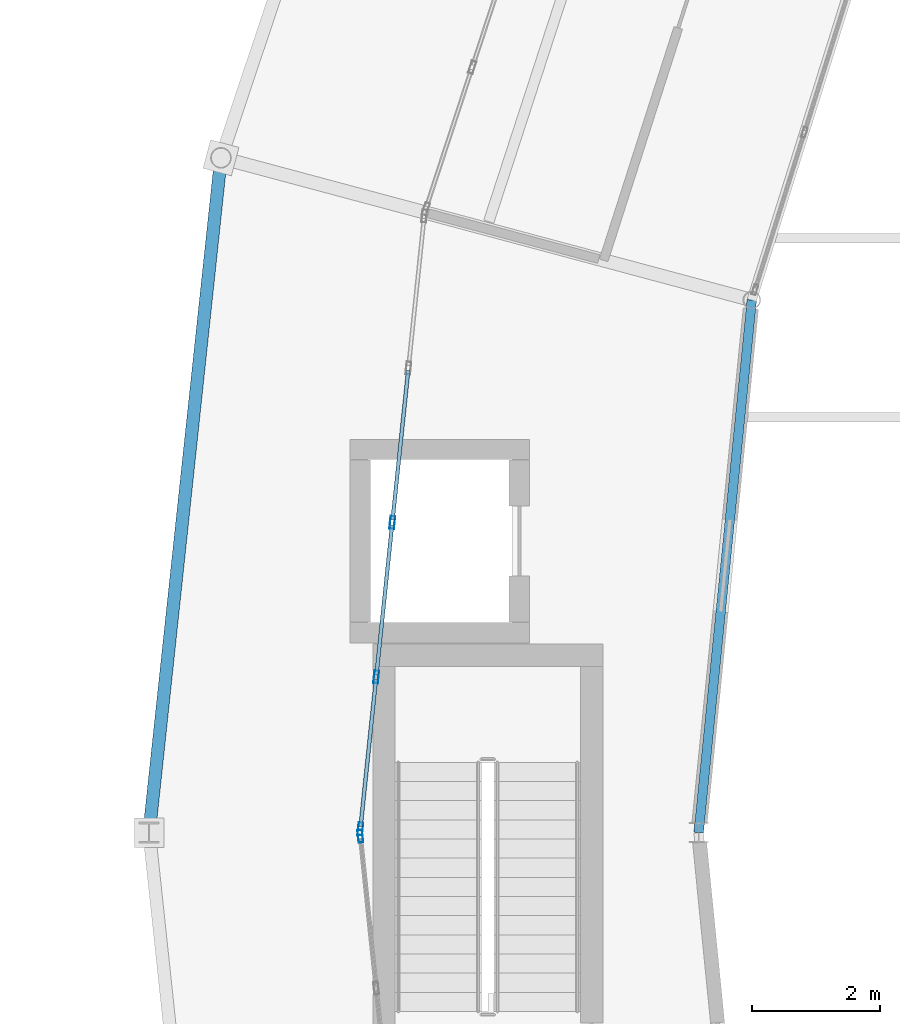
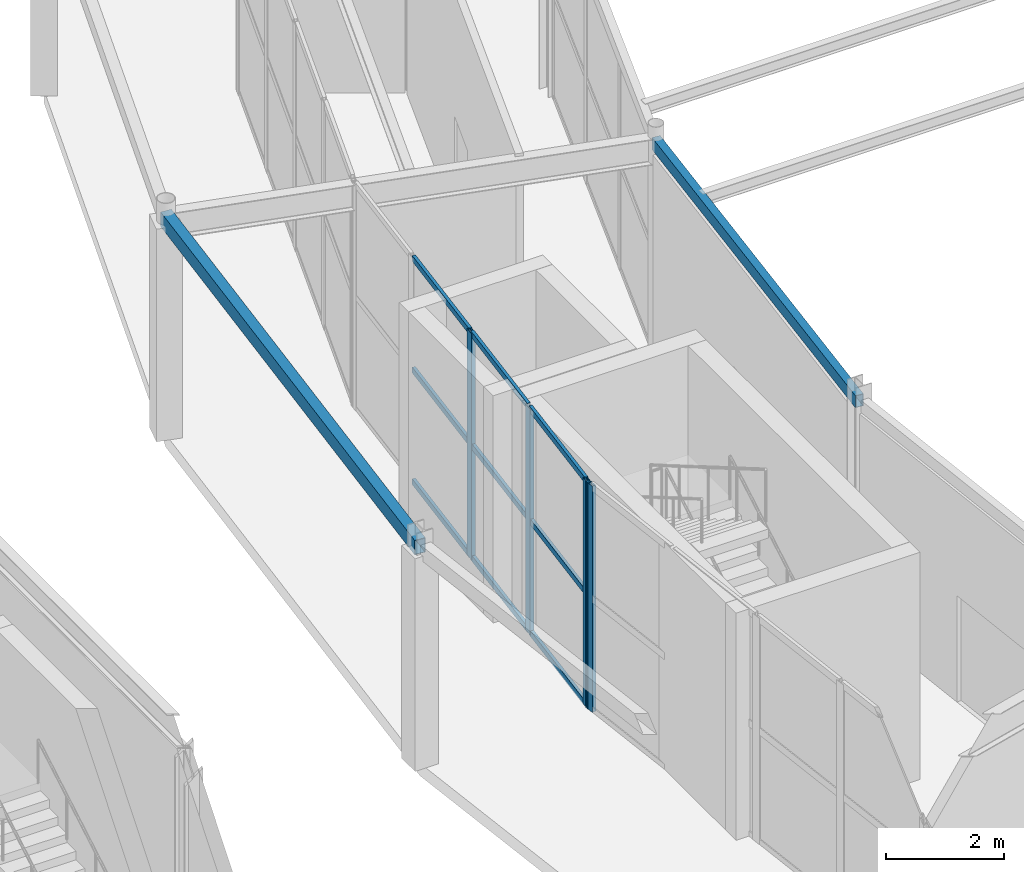
# One storey, part 45 of 144: 13 members, 2 beams, 2 elements without a shape of their own.
"""IFC4 building model written with IfcOpenShell, lengths in metres."""

from ifc_helpers import new_model, si_unit, direction, frame, origin, origin_2d, place, context, subcontext, project, spatial, hollow_rectangle, extrude, material, material_profile, profile_set, type_object, element, aggregate, save


model = new_model("IFC4")

# Units and contexts
model_context = context("Model", 3, precision=1e-05, world=origin(), true_north=direction((0.0, 1.0)))
body_context = subcontext(model_context, "Body", "Model", "MODEL_VIEW")
ifc_project = project(units=[si_unit("LENGTHUNIT", "METRE"), si_unit("AREAUNIT", "SQUARE_METRE"), si_unit("VOLUMEUNIT", "CUBIC_METRE"), si_unit("PLANEANGLEUNIT", "RADIAN"), si_unit("MASSUNIT", "GRAM", prefix="KILO")], contexts=[model_context])

# Site, building, storey
site_placement = place(None, origin())
site = spatial("IfcSite", under=ifc_project, at=site_placement, CompositionType="ELEMENT")
building_placement = place(site_placement, origin())
building = spatial("IfcBuilding", under=site, at=building_placement, Name="Karori Crest Natural Sciences Institute", CompositionType="ELEMENT")
storey_placement = place(building_placement, origin())
storey = spatial("IfcBuildingStorey", under=building, at=storey_placement, Name="L00", CompositionType="ELEMENT", Elevation=0.0)

# Beams
ifc_material_1 = material(Name="Hollow structural steel AS/NZS 1163 Grade C350", Category="steel")
ifc_material_profile_1 = material_profile(ifc_material_1, hollow_rectangle(XDim=0.199951171875, YDim=0.300048828125, WallThickness=0.010009765625, at=origin_2d()), Name="RHS300x200x10")
ifc_profile_set_1 = profile_set([ifc_material_profile_1], Name="Hollow structural steel AS/NZS 1163 Grade C350")
beam_type_1 = type_object("IfcBeamType", Name="BT-15", PredefinedType="SPANDREL", material=ifc_profile_set_1)
beam_1_placement = place(storey_placement, frame((34.5244140625, 60.459716796875, 4.489990234375), z_axis=(-0.105891010563, -0.994377742049, 0.0), x_axis=(0.994377742049, -0.105891010563, 0.0)))
element("IfcBeam", 1, at=beam_1_placement, inside=storey, type_object=beam_type_1, Name="Beam B-0133", PredefinedType="SPANDREL", context=body_context, shape_type="SweptSolid", body=[
    extrude(hollow_rectangle(XDim=0.199951171875, YDim=0.300048828125, WallThickness=0.010009765625, at=origin_2d()), origin(), (0.0, 0.0, 1.0), 10.61962890625),
])
ifc_material_profile_2 = material_profile(ifc_material_1, hollow_rectangle(XDim=0.14990234375, YDim=0.25, WallThickness=0.009033203125, at=origin_2d()), Name="RHS250x150x9")
ifc_profile_set_2 = profile_set([ifc_material_profile_2], Name="Hollow structural steel AS/NZS 1163 Grade C350")
beam_type_2 = type_object("IfcBeamType", Name="BT-16", PredefinedType="SPANDREL", material=ifc_profile_set_2)
beam_2_placement = place(storey_placement, frame((42.831298828125, 58.23388671875, 4.489990234375), z_axis=(-0.099255508608, -0.995061979985, 0.0), x_axis=(0.995061979985, -0.099255508608, 0.0)))
element("IfcBeam", 2, at=beam_2_placement, inside=storey, type_object=beam_type_2, Name="Beam B-0134", PredefinedType="SPANDREL", context=body_context, shape_type="SweptSolid", body=[
    extrude(hollow_rectangle(XDim=0.14990234375, YDim=0.25, WallThickness=0.009033203125, at=origin_2d()), origin(), (0.0, 0.0, 1.0), 8.375244140625),
])

# Curtain wall, members
ifc_material_2 = material(Name="Anodised architectural aluminium 6063-T6", Category="aluminium")
curtain_wall_type_1 = type_object("IfcCurtainWallType", Name="CWT-02", PredefinedType="NOTDEFINED", material=ifc_material_2)
curtain_wall_1_placement = place(storey_placement, origin())
curtain_wall_1 = element("IfcCurtainWall", 3, at=curtain_wall_1_placement, inside=storey, type_object=curtain_wall_type_1, Name="Curtain wall CW-0015", PredefinedType="NOTDEFINED")
ifc_material_profile_3 = material_profile(ifc_material_2, hollow_rectangle(XDim=0.074951171875, YDim=0.199951171875, WallThickness=0.0048828125, at=origin_2d()), Name="CWM200x75x5")
ifc_profile_set_3 = profile_set([ifc_material_profile_3], Name="Anodised architectural aluminium 6063-T6")
member_type_1 = type_object("IfcMemberType", Name="CWM-02", PredefinedType="MULLION", material=ifc_profile_set_3)
member_1_placement = place(storey_placement, frame((36.7060546875, 49.957275390625, 0.0), z_axis=(0.0, 0.0, 1.0), x_axis=(-0.994608485589, 0.103701303727, 0.0)))
member_1 = element("IfcMember", 4, at=member_1_placement, type_object=member_type_1, Name="CW-0015 mullion 1", PredefinedType="MULLION", context=body_context, shape_type="SweptSolid", body=[
    extrude(hollow_rectangle(XDim=0.074951171875, YDim=0.199951171875, WallThickness=0.0048828125, at=origin_2d()), origin(), (0.0, 0.0, 1.0), 4.679931640625),
])
member_2_placement = place(storey_placement, frame((36.9541015625, 52.33642578125, 0.0), z_axis=(0.0, 0.0, 1.0), x_axis=(-0.994608485589, 0.103701303727, 0.0)))
member_2 = element("IfcMember", 5, at=member_2_placement, type_object=member_type_1, Name="CW-0015 mullion 2", PredefinedType="MULLION", context=body_context, shape_type="SweptSolid", body=[
    extrude(hollow_rectangle(XDim=0.074951171875, YDim=0.199951171875, WallThickness=0.0048828125, at=origin_2d()), origin(), (0.0, 0.0, 1.0), 4.679931640625),
])
member_3_placement = place(storey_placement, frame((37.2060546875, 54.7529296875, 0.0), z_axis=(0.0, 0.0, 1.0), x_axis=(-0.994608485589, 0.103701303727, 0.0)))
member_3 = element("IfcMember", 6, at=member_3_placement, type_object=member_type_1, Name="CW-0015 mullion 3", PredefinedType="MULLION", context=body_context, shape_type="SweptSolid", body=[
    extrude(hollow_rectangle(XDim=0.074951171875, YDim=0.199951171875, WallThickness=0.0048828125, at=origin_2d()), origin(), (0.0, 0.0, 1.0), 4.679931640625),
])

# Curtain wall, member
curtain_wall_type_2 = type_object("IfcCurtainWallType", Name="CWT-03", PredefinedType="NOTDEFINED", material=ifc_material_2)
curtain_wall_2_placement = place(storey_placement, origin())
curtain_wall_2 = element("IfcCurtainWall", 7, at=curtain_wall_2_placement, inside=storey, type_object=curtain_wall_type_2, Name="Curtain wall CW-0016", PredefinedType="NOTDEFINED")
member_4_placement = place(storey_placement, frame((36.7060546875, 49.8427734375, 0.0), z_axis=(0.0, 0.0, 1.0), x_axis=(-0.994608485589, -0.103701303727, 0.0)))
member_4 = element("IfcMember", 8, at=member_4_placement, type_object=member_type_1, Name="CW-0016 mullion 5", PredefinedType="MULLION", context=body_context, shape_type="SweptSolid", body=[
    extrude(hollow_rectangle(XDim=0.074951171875, YDim=0.199951171875, WallThickness=0.0048828125, at=origin_2d()), origin(), (0.0, 0.0, 1.0), 4.679931640625),
])
aggregate(curtain_wall_2, [member_4])

# Member
ifc_material_profile_4 = material_profile(ifc_material_2, hollow_rectangle(XDim=0.06005859375, YDim=0.1201171875, WallThickness=0.00390625, at=origin_2d()), Name="CWT120x60x4")
ifc_profile_set_4 = profile_set([ifc_material_profile_4], Name="Anodised architectural aluminium 6063-T6")
member_type_2 = type_object("IfcMemberType", Name="CWT-TR1", PredefinedType="USERDEFINED", material=ifc_profile_set_4)
member_5_placement = place(storey_placement, frame((36.7099609375, 49.994384765625, 0.030029296875), z_axis=(0.103675570927, 0.994611168243, 0.0), x_axis=(-0.994611168243, 0.103675570927, 0.0)))
member_5 = element("IfcMember", 9, at=member_5_placement, type_object=member_type_2, Name="CW-0015 transom 1.1", ObjectType="TRANSOM", PredefinedType="USERDEFINED", context=body_context, shape_type="SweptSolid", body=[
    extrude(hollow_rectangle(XDim=0.06005859375, YDim=0.1201171875, WallThickness=0.00390625, at=origin_2d()), origin(), (0.0, 0.0, 1.0), 2.317138671875),
])

member_6_placement = place(storey_placement, frame((36.7099609375, 49.994384765625, 2.340087890625), z_axis=(0.103675570927, 0.994611168243, 0.0), x_axis=(-0.994611168243, 0.103675570927, 0.0)))
member_6 = element("IfcMember", 10, at=member_6_placement, type_object=member_type_2, Name="CW-0015 transom 1.2", ObjectType="TRANSOM", PredefinedType="USERDEFINED", context=body_context, shape_type="SweptSolid", body=[
    extrude(hollow_rectangle(XDim=0.06005859375, YDim=0.1201171875, WallThickness=0.00390625, at=origin_2d()), origin(), (0.0, 0.0, 1.0), 2.317138671875),
])

member_7_placement = place(storey_placement, frame((36.7099609375, 49.994384765625, 4.64990234375), z_axis=(0.103675570927, 0.994611168243, 0.0), x_axis=(-0.994611168243, 0.103675570927, 0.0)))
member_7 = element("IfcMember", 11, at=member_7_placement, type_object=member_type_2, Name="CW-0015 transom 1.3", ObjectType="TRANSOM", PredefinedType="USERDEFINED", context=body_context, shape_type="SweptSolid", body=[
    extrude(hollow_rectangle(XDim=0.06005859375, YDim=0.1201171875, WallThickness=0.00390625, at=origin_2d()), origin(), (0.0, 0.0, 1.0), 2.317138671875),
])

member_8_placement = place(storey_placement, frame((36.9580078125, 52.373779296875, 0.030029296875), z_axis=(0.103691565975, 0.994609500832, 0.0), x_axis=(-0.994609500832, 0.103691565975, 0.0)))
member_8 = element("IfcMember", 12, at=member_8_placement, type_object=member_type_2, Name="CW-0015 transom 2.1", ObjectType="TRANSOM", PredefinedType="USERDEFINED", context=body_context, shape_type="SweptSolid", body=[
    extrude(hollow_rectangle(XDim=0.06005859375, YDim=0.1201171875, WallThickness=0.00390625, at=origin_2d()), origin(), (0.0, 0.0, 1.0), 2.3544921875),
])

member_9_placement = place(storey_placement, frame((36.9580078125, 52.373779296875, 2.340087890625), z_axis=(0.103691565975, 0.994609500832, 0.0), x_axis=(-0.994609500832, 0.103691565975, 0.0)))
member_9 = element("IfcMember", 13, at=member_9_placement, type_object=member_type_2, Name="CW-0015 transom 2.2", ObjectType="TRANSOM", PredefinedType="USERDEFINED", context=body_context, shape_type="SweptSolid", body=[
    extrude(hollow_rectangle(XDim=0.06005859375, YDim=0.1201171875, WallThickness=0.00390625, at=origin_2d()), origin(), (0.0, 0.0, 1.0), 2.3544921875),
])

member_10_placement = place(storey_placement, frame((36.9580078125, 52.373779296875, 4.64990234375), z_axis=(0.103691565975, 0.994609500832, 0.0), x_axis=(-0.994609500832, 0.103691565975, 0.0)))
member_10 = element("IfcMember", 14, at=member_10_placement, type_object=member_type_2, Name="CW-0015 transom 2.3", ObjectType="TRANSOM", PredefinedType="USERDEFINED", context=body_context, shape_type="SweptSolid", body=[
    extrude(hollow_rectangle(XDim=0.06005859375, YDim=0.1201171875, WallThickness=0.00390625, at=origin_2d()), origin(), (0.0, 0.0, 1.0), 2.3544921875),
])

member_11_placement = place(storey_placement, frame((37.2099609375, 54.7900390625, 0.030029296875), z_axis=(0.103680873089, 0.994610615545, 0.0), x_axis=(-0.994610615545, 0.103680873089, 0.0)))
member_11 = element("IfcMember", 15, at=member_11_placement, type_object=member_type_2, Name="CW-0015 transom 3.1", ObjectType="TRANSOM", PredefinedType="USERDEFINED", context=body_context, shape_type="SweptSolid", body=[
    extrude(hollow_rectangle(XDim=0.06005859375, YDim=0.1201171875, WallThickness=0.00390625, at=origin_2d()), origin(), (0.0, 0.0, 1.0), 2.354736328125),
])

member_12_placement = place(storey_placement, frame((37.2099609375, 54.7900390625, 2.340087890625), z_axis=(0.103680873089, 0.994610615545, 0.0), x_axis=(-0.994610615545, 0.103680873089, 0.0)))
member_12 = element("IfcMember", 16, at=member_12_placement, type_object=member_type_2, Name="CW-0015 transom 3.2", ObjectType="TRANSOM", PredefinedType="USERDEFINED", context=body_context, shape_type="SweptSolid", body=[
    extrude(hollow_rectangle(XDim=0.06005859375, YDim=0.1201171875, WallThickness=0.00390625, at=origin_2d()), origin(), (0.0, 0.0, 1.0), 2.354736328125),
])

member_13_placement = place(storey_placement, frame((37.2099609375, 54.7900390625, 4.64990234375), z_axis=(0.103680873089, 0.994610615545, 0.0), x_axis=(-0.994610615545, 0.103680873089, 0.0)))
member_13 = element("IfcMember", 17, at=member_13_placement, type_object=member_type_2, Name="CW-0015 transom 3.3", ObjectType="TRANSOM", PredefinedType="USERDEFINED", context=body_context, shape_type="SweptSolid", body=[
    extrude(hollow_rectangle(XDim=0.06005859375, YDim=0.1201171875, WallThickness=0.00390625, at=origin_2d()), origin(), (0.0, 0.0, 1.0), 2.354736328125),
])

aggregate(curtain_wall_1, [member_1, member_2, member_3, member_5, member_6, member_7, member_8, member_9, member_10, member_11, member_12, member_13])

save(model, "model.ifc")
